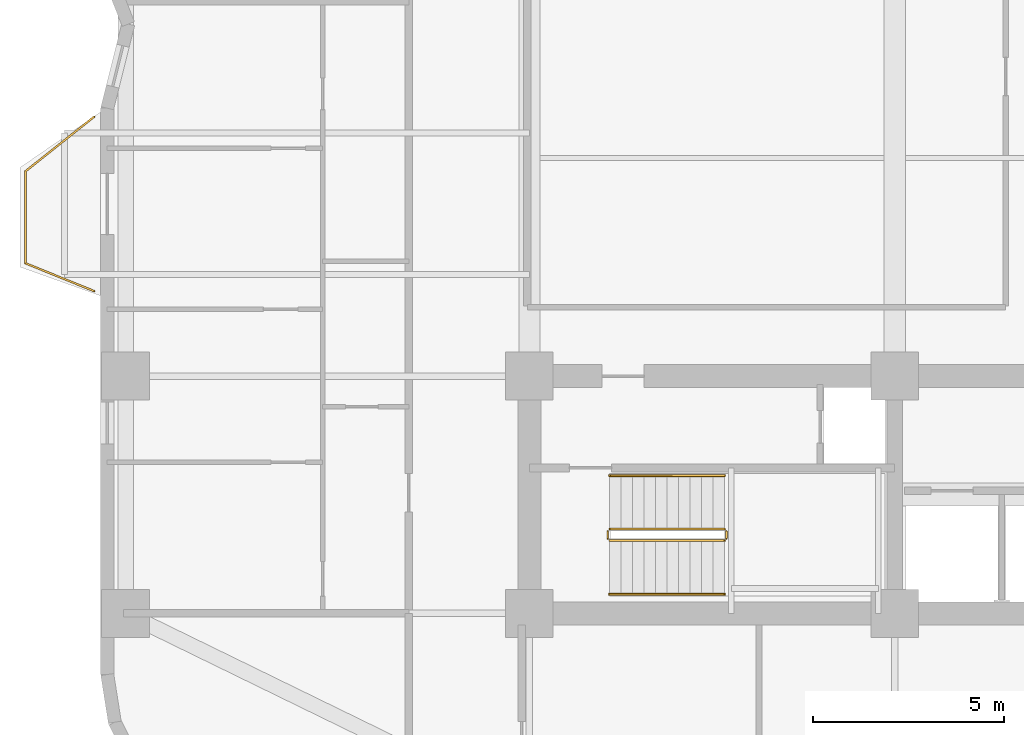
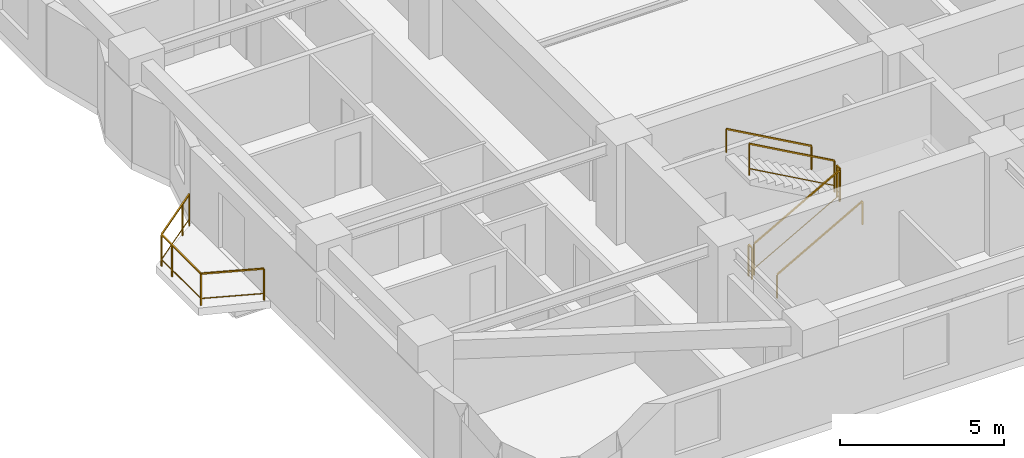
# One storey, part 8 of 9: 7 railings.
"""IFC4 building model written with IfcOpenShell, lengths in metres."""

from ifc_helpers import new_model, si_unit, direction, frame, origin, origin_2d, place, context, subcontext, project, spatial, rectangle, extrude, material, type_object, element, save


model = new_model("IFC4")

# Units and contexts
model_context = context("Model", 3, precision=1e-05, world=origin(), true_north=direction((0.0, 1.0)))
body_context = subcontext(model_context, "Body", "Model", "MODEL_VIEW")
ifc_project = project(units=[si_unit("LENGTHUNIT", "METRE"), si_unit("AREAUNIT", "SQUARE_METRE"), si_unit("VOLUMEUNIT", "CUBIC_METRE"), si_unit("PLANEANGLEUNIT", "RADIAN"), si_unit("MASSUNIT", "GRAM", prefix="KILO")], contexts=[model_context])

# Site, building, storey
site_placement = place(None, origin())
site = spatial("IfcSite", under=ifc_project, at=site_placement, CompositionType="ELEMENT")
building_placement = place(site_placement, origin())
building = spatial("IfcBuilding", under=site, at=building_placement, Name="Svetorya Sky Lyceum", CompositionType="ELEMENT")
storey_placement = place(building_placement, frame((0.0, 0.0, 28.800048828125)))
storey = spatial("IfcBuildingStorey", under=building, at=storey_placement, Name="L06", CompositionType="ELEMENT", Elevation=28.800048828125)

# Railings
ifc_material_1 = material(Name="Laminated safety glass and stainless AISI 316", Category="glass")
railing_type_1 = type_object("IfcRailingType", Name="RL-BAL-1200", PredefinedType="BALUSTRADE", material=ifc_material_1)
railing_1_placement = place(storey_placement, frame((14.22998046875, 19.02001953125, 0.0)))
element("IfcRailing", 1, at=railing_1_placement, inside=storey, type_object=railing_type_1, Name="L06 Balcony Balustrade BAL-W1", PredefinedType="BALUSTRADE", context=body_context, shape_type="SweptSolid", body=[
    extrude(rectangle(XDim=0.048095703125, YDim=0.048095703125, at=origin_2d()), frame((0.0, 0.0, 1.17578125), z_axis=(-0.926697865975, 0.375807218129, 0.0), x_axis=(-0.375807218129, -0.926697865975, 0.0)), (0.0, 0.0, 1.0), 1.9423828125),
    extrude(rectangle(XDim=0.02392578125, YDim=0.02392578125, at=origin_2d()), frame((0.0, 0.0, 0.25), z_axis=(-0.926697865975, 0.375807218129, 0.0), x_axis=(-0.375807218129, -0.926697865975, 0.0)), (0.0, 0.0, 1.0), 1.9423828125),
    extrude(rectangle(XDim=0.048095703125, YDim=0.048095703125, at=origin_2d()), frame((-1.800048828125, 0.72998046875, 1.17578125), z_axis=(0.0, 1.0, 0.0), x_axis=(-1.0, 0.0, 0.0)), (0.0, 0.0, 1.0), 2.39990234375),
    extrude(rectangle(XDim=0.02392578125, YDim=0.02392578125, at=origin_2d()), frame((-1.800048828125, 0.72998046875, 0.25), z_axis=(0.0, 1.0, 0.0), x_axis=(-1.0, 0.0, 0.0)), (0.0, 0.0, 1.0), 2.39990234375),
    extrude(rectangle(XDim=0.048095703125, YDim=0.048095703125, at=origin_2d()), frame((-1.800048828125, 3.1298828125, 1.17578125), z_axis=(0.782957196596, 0.622075580857, 0.0), x_axis=(-0.622075580857, 0.782957196596, 0.0)), (0.0, 0.0, 1.0), 2.299072265625),
    extrude(rectangle(XDim=0.02392578125, YDim=0.02392578125, at=origin_2d()), frame((-1.800048828125, 3.1298828125, 0.25), z_axis=(0.782957196596, 0.622075580857, 0.0), x_axis=(-0.622075580857, 0.782957196596, 0.0)), (0.0, 0.0, 1.0), 2.299072265625),
    extrude(rectangle(XDim=0.0419921875, YDim=0.0419921875, at=origin_2d()), origin(), (0.0, 0.0, 1.0), 1.15185546875),
    extrude(rectangle(XDim=0.0419921875, YDim=0.0419921875, at=origin_2d()), frame((-1.800048828125, 0.72998046875, 0.0)), (0.0, 0.0, 1.0), 1.15185546875),
    extrude(rectangle(XDim=0.0419921875, YDim=0.0419921875, at=origin_2d()), frame((-1.800048828125, 2.47998046875, 0.0)), (0.0, 0.0, 1.0), 1.15185546875),
    extrude(rectangle(XDim=0.0419921875, YDim=0.0419921875, at=origin_2d()), frame((-1.800048828125, 3.1298828125, 0.0)), (0.0, 0.0, 1.0), 1.15185546875),
    extrude(rectangle(XDim=0.0419921875, YDim=0.0419921875, at=origin_2d()), frame((-0.429931640625, 4.218505859375, 0.0)), (0.0, 0.0, 1.0), 1.15185546875),
    extrude(rectangle(XDim=0.0419921875, YDim=0.0419921875, at=origin_2d()), frame((0.0, 4.56005859375, 0.0)), (0.0, 0.0, 1.0), 1.15185546875),
])
ifc_material_2 = material(Name="Painted galvanized stair well guard")
railing_type_2 = type_object("IfcRailingType", Name="RL-STR-GUARD-1200", PredefinedType="GUARDRAIL", material=ifc_material_2)
railing_2_placement = place(storey_placement, frame((27.699951171875, 12.5, 0.168212890625)))
element("IfcRailing", 2, at=railing_2_placement, inside=storey, type_object=railing_type_2, Name="L06 ST-S stair guard 1", PredefinedType="GUARDRAIL", context=body_context, shape_type="SweptSolid", body=[
    extrude(rectangle(XDim=0.048095703125, YDim=0.048095703125, at=origin_2d()), frame((0.0, 0.0, 1.17578125), z_axis=(0.872302573547, 0.0, 0.488966481656), x_axis=(0.0, 1.0, 0.0)), (0.0, 0.0, 1.0), 3.439208984375),
    extrude(rectangle(XDim=0.02392578125, YDim=0.02392578125, at=origin_2d()), frame((0.0, 0.0, 0.25), z_axis=(0.872302573547, 0.0, 0.488966481656), x_axis=(0.0, 1.0, 0.0)), (0.0, 0.0, 1.0), 3.439208984375),
    extrude(rectangle(XDim=0.0419921875, YDim=0.0419921875, at=origin_2d()), origin(), (0.0, 0.0, 1.0), 1.15185546875),
    extrude(rectangle(XDim=0.0419921875, YDim=0.0419921875, at=origin_2d()), frame((3.0, 0.0, 1.681640625)), (0.0, 0.0, 1.0), 1.15185546875),
])
railing_3_placement = place(storey_placement, frame((30.75, 12.550048828125, 1.849853515625)))
element("IfcRailing", 3, at=railing_3_placement, inside=storey, type_object=railing_type_2, Name="L06 ST-S stair guard 2", PredefinedType="GUARDRAIL", context=body_context, shape_type="SweptSolid", body=[
    extrude(rectangle(XDim=0.048095703125, YDim=0.048095703125, at=origin_2d()), frame((0.0, 0.0, 1.17578125), z_axis=(0.0, 1.0, 0.0), x_axis=(-1.0, 0.0, 0.0)), (0.0, 0.0, 1.0), 0.199951171875),
    extrude(rectangle(XDim=0.02392578125, YDim=0.02392578125, at=origin_2d()), frame((0.0, 0.0, 0.25), z_axis=(0.0, 1.0, 0.0), x_axis=(-1.0, 0.0, 0.0)), (0.0, 0.0, 1.0), 0.199951171875),
    extrude(rectangle(XDim=0.0419921875, YDim=0.0419921875, at=origin_2d()), origin(), (0.0, 0.0, 1.0), 1.15185546875),
    extrude(rectangle(XDim=0.0419921875, YDim=0.0419921875, at=origin_2d()), frame((0.0, 0.199951171875, 0.0)), (0.0, 0.0, 1.0), 1.15185546875),
])
railing_4_placement = place(storey_placement, frame((30.699951171875, 12.800048828125, 2.01806640625)))
element("IfcRailing", 4, at=railing_4_placement, inside=storey, type_object=railing_type_2, Name="L06 ST-S stair guard 3", PredefinedType="GUARDRAIL", context=body_context, shape_type="SweptSolid", body=[
    extrude(rectangle(XDim=0.048095703125, YDim=0.048095703125, at=origin_2d()), frame((0.0, 0.0, 1.17578125), z_axis=(-0.872272294576, 0.0, 0.489020494575), x_axis=(0.0, -1.0, 0.0)), (0.0, 0.0, 1.0), 3.439208984375),
    extrude(rectangle(XDim=0.02392578125, YDim=0.02392578125, at=origin_2d()), frame((0.0, 0.0, 0.25), z_axis=(-0.872272294576, 0.0, 0.489020494575), x_axis=(0.0, -1.0, 0.0)), (0.0, 0.0, 1.0), 3.439208984375),
    extrude(rectangle(XDim=0.0419921875, YDim=0.0419921875, at=origin_2d()), origin(), (0.0, 0.0, 1.0), 1.15185546875),
    extrude(rectangle(XDim=0.0419921875, YDim=0.0419921875, at=origin_2d()), frame((-3.0, 0.0, 1.681884765625)), (0.0, 0.0, 1.0), 1.15185546875),
])
railing_5_placement = place(storey_placement, frame((27.64990234375, 12.550048828125, 0.0)))
element("IfcRailing", 5, at=railing_5_placement, inside=storey, type_object=railing_type_2, Name="L06 ST-S stair guard 4", PredefinedType="GUARDRAIL", context=body_context, shape_type="SweptSolid", body=[
    extrude(rectangle(XDim=0.048095703125, YDim=0.048095703125, at=origin_2d()), frame((0.0, 0.0, 1.17578125), z_axis=(0.0, 1.0, 0.0), x_axis=(-1.0, 0.0, 0.0)), (0.0, 0.0, 1.0), 0.199951171875),
    extrude(rectangle(XDim=0.02392578125, YDim=0.02392578125, at=origin_2d()), frame((0.0, 0.0, 0.25), z_axis=(0.0, 1.0, 0.0), x_axis=(-1.0, 0.0, 0.0)), (0.0, 0.0, 1.0), 0.199951171875),
    extrude(rectangle(XDim=0.0419921875, YDim=0.0419921875, at=origin_2d()), origin(), (0.0, 0.0, 1.0), 1.15185546875),
    extrude(rectangle(XDim=0.0419921875, YDim=0.0419921875, at=origin_2d()), frame((0.0, 0.199951171875, 0.0)), (0.0, 0.0, 1.0), 1.15185546875),
])
ifc_material_3 = material(Name="Brushed stainless AISI 304 stair handrail")
railing_type_3 = type_object("IfcRailingType", Name="RL-STR-HAND-920", PredefinedType="HANDRAIL", material=ifc_material_3)
railing_6_placement = place(storey_placement, frame((27.699951171875, 11.10009765625, 0.168212890625)))
element("IfcRailing", 6, at=railing_6_placement, inside=storey, type_object=railing_type_3, Name="L06 ST-S stair handrail 1", PredefinedType="HANDRAIL", context=body_context, shape_type="SweptSolid", body=[
    extrude(rectangle(XDim=0.048095703125, YDim=0.048095703125, at=origin_2d()), frame((0.0, 0.0, 0.8759765625), z_axis=(0.872302573547, 0.0, 0.488966481656), x_axis=(0.0, 1.0, 0.0)), (0.0, 0.0, 1.0), 3.439208984375),
    extrude(rectangle(XDim=0.0419921875, YDim=0.0419921875, at=origin_2d()), origin(), (0.0, 0.0, 1.0), 0.851806640625),
    extrude(rectangle(XDim=0.0419921875, YDim=0.0419921875, at=origin_2d()), frame((3.0, 0.0, 1.681640625)), (0.0, 0.0, 1.0), 0.851806640625),
])
railing_7_placement = place(storey_placement, frame((30.699951171875, 14.199951171875, 2.01806640625)))
element("IfcRailing", 7, at=railing_7_placement, inside=storey, type_object=railing_type_3, Name="L06 ST-S stair handrail 2", PredefinedType="HANDRAIL", context=body_context, shape_type="SweptSolid", body=[
    extrude(rectangle(XDim=0.048095703125, YDim=0.048095703125, at=origin_2d()), frame((0.0, 0.0, 0.8759765625), z_axis=(-0.872272294576, 0.0, 0.489020494575), x_axis=(0.0, -1.0, 0.0)), (0.0, 0.0, 1.0), 3.439208984375),
    extrude(rectangle(XDim=0.0419921875, YDim=0.0419921875, at=origin_2d()), origin(), (0.0, 0.0, 1.0), 0.851806640625),
    extrude(rectangle(XDim=0.0419921875, YDim=0.0419921875, at=origin_2d()), frame((-3.0, 0.0, 1.681884765625)), (0.0, 0.0, 1.0), 0.851806640625),
])

save(model, "model.ifc")
